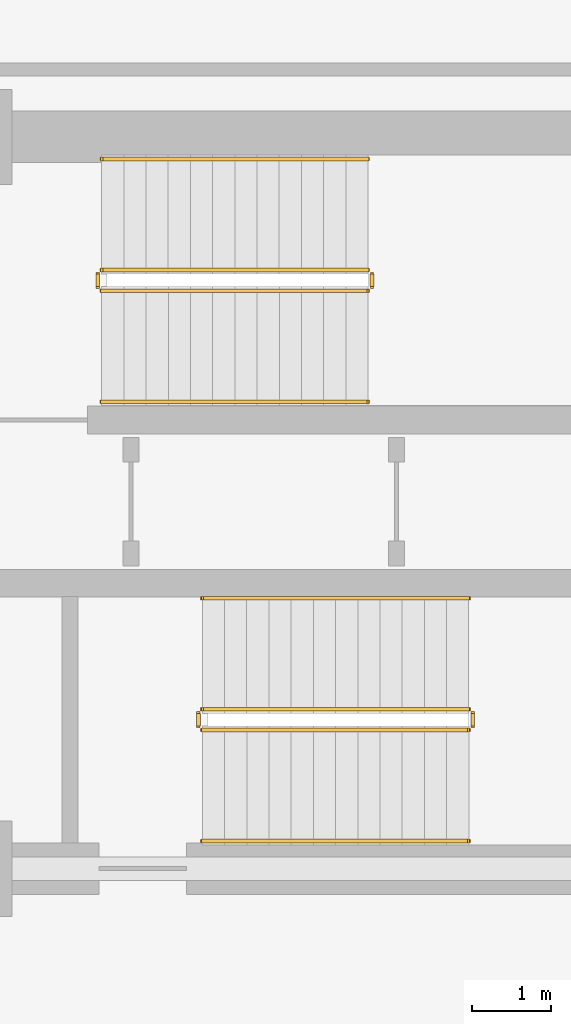
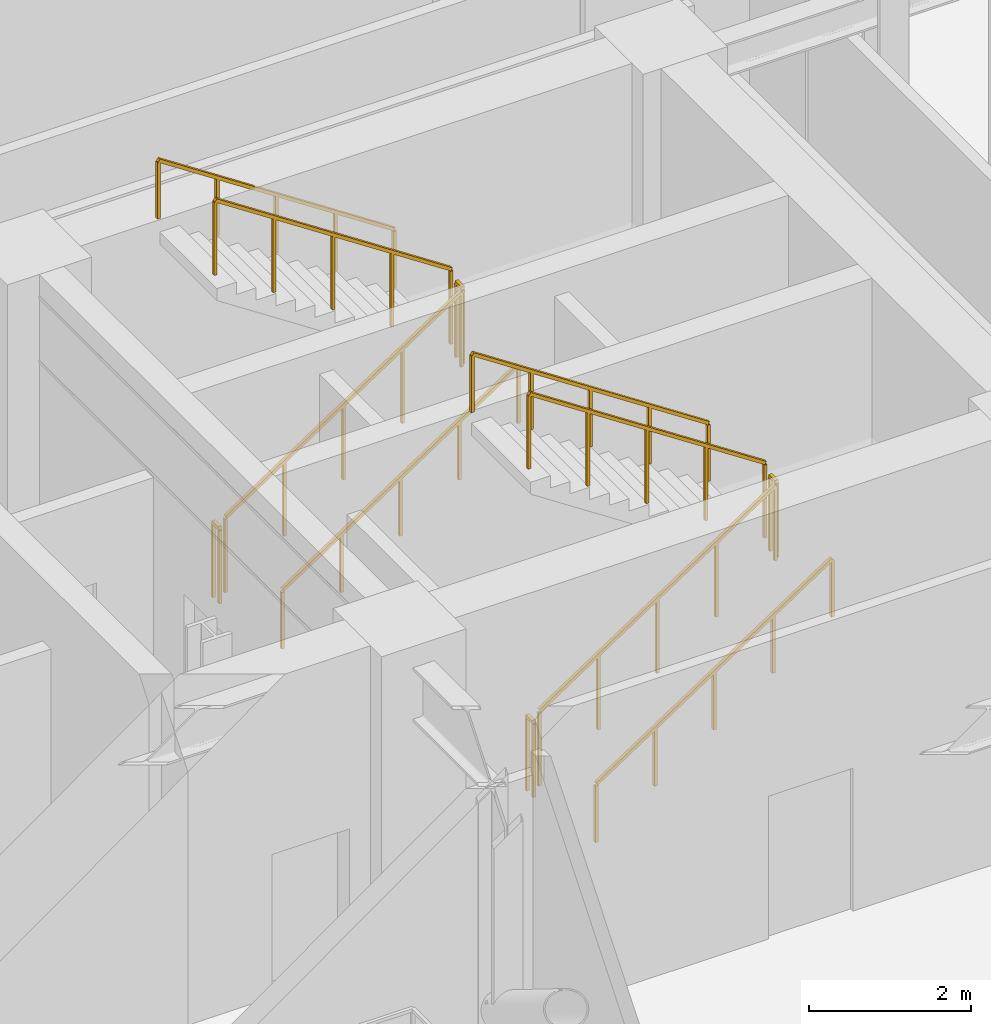
# One storey, part 13 of 13: 12 railings.
"""IFC4 building model written with IfcOpenShell, lengths in metres."""

from ifc_helpers import new_model, si_unit, direction, frame, origin, origin_2d, place, context, subcontext, project, spatial, rectangle, extrude, material, type_object, element, save


model = new_model("IFC4")

# Units and contexts
model_context = context("Model", 3, precision=1e-05, world=origin(), true_north=direction((0.0, 1.0)))
body_context = subcontext(model_context, "Body", "Model", "MODEL_VIEW")
ifc_project = project(units=[si_unit("LENGTHUNIT", "METRE"), si_unit("AREAUNIT", "SQUARE_METRE"), si_unit("VOLUMEUNIT", "CUBIC_METRE"), si_unit("PLANEANGLEUNIT", "RADIAN"), si_unit("MASSUNIT", "GRAM", prefix="KILO")], contexts=[model_context])

# Site, building, storey
site_placement = place(None, origin())
site = spatial("IfcSite", under=ifc_project, at=site_placement, CompositionType="ELEMENT")
building_placement = place(site_placement, origin())
building = spatial("IfcBuilding", under=site, at=building_placement, Name="Zarnavel Station Tower", CompositionType="ELEMENT")
storey_placement = place(building_placement, frame((0.0, 0.0, 132.89990234375)))
storey = spatial("IfcBuildingStorey", under=building, at=storey_placement, Name="L36", CompositionType="ELEMENT", Elevation=132.89990234375)

# Railings
ifc_material_1 = material(Name="Painted Steel S355J2 Balustrade", Category="steel")
railing_type_1 = type_object("IfcRailingType", Name="GR_INT_1150", PredefinedType="GUARDRAIL", material=ifc_material_1)
railing_1_placement = place(storey_placement, frame((38.080078125, 35.110107421875, 0.184814453125)))
element("IfcRailing", 1, at=railing_1_placement, inside=storey, type_object=railing_type_1, Name="L36 ST2 stair guard 1", PredefinedType="GUARDRAIL", context=body_context, shape_type="SweptSolid", body=[
    extrude(rectangle(XDim=0.048095703125, YDim=0.048095703125, at=origin_2d()), frame((0.001708984375, 0.0, 1.126953125), z_axis=(0.834858096282, 0.0, 0.550465220583), x_axis=(0.0, 1.0, 0.0)), (0.0, 0.0, 1.0), 4.0205078125),
    extrude(rectangle(XDim=0.0419921875, YDim=0.0419921875, at=origin_2d()), origin(), (0.0, 0.0, 1.0), 1.101806640625),
    extrude(rectangle(XDim=0.0419921875, YDim=0.0419921875, at=origin_2d()), frame((0.83984375, 0.0, 0.5537109375)), (0.0, 0.0, 1.0), 1.101806640625),
    extrude(rectangle(XDim=0.0419921875, YDim=0.0419921875, at=origin_2d()), frame((1.679931640625, 0.0, 1.107666015625)), (0.0, 0.0, 1.0), 1.101806640625),
    extrude(rectangle(XDim=0.0419921875, YDim=0.0419921875, at=origin_2d()), frame((2.52001953125, 0.0, 1.66162109375)), (0.0, 0.0, 1.0), 1.101806640625),
    extrude(rectangle(XDim=0.0419921875, YDim=0.0419921875, at=origin_2d()), frame((3.35986328125, 0.0, 2.21533203125)), (0.0, 0.0, 1.0), 1.101806640625),
])
railing_2_placement = place(storey_placement, frame((41.489990234375, 35.159912109375, 2.400146484375)))
element("IfcRailing", 2, at=railing_2_placement, inside=storey, type_object=railing_type_1, Name="L36 ST2 stair guard 2", PredefinedType="GUARDRAIL", context=body_context, shape_type="SweptSolid", body=[
    extrude(rectangle(XDim=0.048095703125, YDim=0.048095703125, at=origin_2d()), frame((0.0, 0.001953125, 1.1259765625), z_axis=(0.0, 1.0, 0.0), x_axis=(-1.0, 0.0, 0.0)), (0.0, 0.0, 1.0), 0.15625),
    extrude(rectangle(XDim=0.0419921875, YDim=0.0419921875, at=origin_2d()), origin(), (0.0, 0.0, 1.0), 1.101806640625),
    extrude(rectangle(XDim=0.0419921875, YDim=0.0419921875, at=origin_2d()), frame((0.0, 0.16015625, 0.0)), (0.0, 0.0, 1.0), 1.101806640625),
])
railing_3_placement = place(storey_placement, frame((41.43994140625, 35.3701171875, 2.584716796875)))
element("IfcRailing", 3, at=railing_3_placement, inside=storey, type_object=railing_type_1, Name="L36 ST2 stair guard 3", PredefinedType="GUARDRAIL", context=body_context, shape_type="SweptSolid", body=[
    extrude(rectangle(XDim=0.048095703125, YDim=0.048095703125, at=origin_2d()), frame((-0.001708984375, 0.0, 1.126953125), z_axis=(-0.834858096282, 0.0, 0.550465220583), x_axis=(0.0, -1.0, 0.0)), (0.0, 0.0, 1.0), 4.0205078125),
    extrude(rectangle(XDim=0.0419921875, YDim=0.0419921875, at=origin_2d()), origin(), (0.0, 0.0, 1.0), 1.101806640625),
    extrude(rectangle(XDim=0.0419921875, YDim=0.0419921875, at=origin_2d()), frame((-0.83984375, 0.0, 0.5537109375)), (0.0, 0.0, 1.0), 1.101806640625),
    extrude(rectangle(XDim=0.0419921875, YDim=0.0419921875, at=origin_2d()), frame((-1.679931640625, 0.0, 1.107666015625)), (0.0, 0.0, 1.0), 1.101806640625),
    extrude(rectangle(XDim=0.0419921875, YDim=0.0419921875, at=origin_2d()), frame((-2.52001953125, 0.0, 1.66162109375)), (0.0, 0.0, 1.0), 1.101806640625),
    extrude(rectangle(XDim=0.0419921875, YDim=0.0419921875, at=origin_2d()), frame((-3.35986328125, 0.0, 2.21533203125)), (0.0, 0.0, 1.0), 1.101806640625),
])
railing_4_placement = place(storey_placement, frame((38.030029296875, 35.159912109375, 0.0)))
element("IfcRailing", 4, at=railing_4_placement, inside=storey, type_object=railing_type_1, Name="L36 ST2 stair guard 4", PredefinedType="GUARDRAIL", context=body_context, shape_type="SweptSolid", body=[
    extrude(rectangle(XDim=0.048095703125, YDim=0.048095703125, at=origin_2d()), frame((0.0, 0.001953125, 1.1259765625), z_axis=(0.0, 1.0, 0.0), x_axis=(-1.0, 0.0, 0.0)), (0.0, 0.0, 1.0), 0.15625),
    extrude(rectangle(XDim=0.0419921875, YDim=0.0419921875, at=origin_2d()), origin(), (0.0, 0.0, 1.0), 1.101806640625),
    extrude(rectangle(XDim=0.0419921875, YDim=0.0419921875, at=origin_2d()), frame((0.0, 0.16015625, 0.0)), (0.0, 0.0, 1.0), 1.101806640625),
])
railing_5_placement = place(storey_placement, frame((39.35009765625, 29.570068359375, 0.184814453125)))
element("IfcRailing", 5, at=railing_5_placement, inside=storey, type_object=railing_type_1, Name="L36 ST3 stair guard 1", PredefinedType="GUARDRAIL", context=body_context, shape_type="SweptSolid", body=[
    extrude(rectangle(XDim=0.048095703125, YDim=0.048095703125, at=origin_2d()), frame((0.001708984375, 0.0, 1.126953125), z_axis=(0.834858096282, 0.0, 0.550465220583), x_axis=(0.0, 1.0, 0.0)), (0.0, 0.0, 1.0), 4.0205078125),
    extrude(rectangle(XDim=0.0419921875, YDim=0.0419921875, at=origin_2d()), origin(), (0.0, 0.0, 1.0), 1.101806640625),
    extrude(rectangle(XDim=0.0419921875, YDim=0.0419921875, at=origin_2d()), frame((0.83984375, 0.0, 0.5537109375)), (0.0, 0.0, 1.0), 1.101806640625),
    extrude(rectangle(XDim=0.0419921875, YDim=0.0419921875, at=origin_2d()), frame((1.679931640625, 0.0, 1.107666015625)), (0.0, 0.0, 1.0), 1.101806640625),
    extrude(rectangle(XDim=0.0419921875, YDim=0.0419921875, at=origin_2d()), frame((2.52001953125, 0.0, 1.66162109375)), (0.0, 0.0, 1.0), 1.101806640625),
    extrude(rectangle(XDim=0.0419921875, YDim=0.0419921875, at=origin_2d()), frame((3.35986328125, 0.0, 2.21533203125)), (0.0, 0.0, 1.0), 1.101806640625),
])
railing_6_placement = place(storey_placement, frame((42.760009765625, 29.6201171875, 2.400146484375)))
element("IfcRailing", 6, at=railing_6_placement, inside=storey, type_object=railing_type_1, Name="L36 ST3 stair guard 2", PredefinedType="GUARDRAIL", context=body_context, shape_type="SweptSolid", body=[
    extrude(rectangle(XDim=0.048095703125, YDim=0.048095703125, at=origin_2d()), frame((0.0, 0.001953125, 1.1259765625), z_axis=(0.0, 1.0, 0.0), x_axis=(-1.0, 0.0, 0.0)), (0.0, 0.0, 1.0), 0.156005859375),
    extrude(rectangle(XDim=0.0419921875, YDim=0.0419921875, at=origin_2d()), origin(), (0.0, 0.0, 1.0), 1.101806640625),
    extrude(rectangle(XDim=0.0419921875, YDim=0.0419921875, at=origin_2d()), frame((0.0, 0.159912109375, 0.0)), (0.0, 0.0, 1.0), 1.101806640625),
])
railing_7_placement = place(storey_placement, frame((42.7099609375, 29.830078125, 2.584716796875)))
element("IfcRailing", 7, at=railing_7_placement, inside=storey, type_object=railing_type_1, Name="L36 ST3 stair guard 3", PredefinedType="GUARDRAIL", context=body_context, shape_type="SweptSolid", body=[
    extrude(rectangle(XDim=0.048095703125, YDim=0.048095703125, at=origin_2d()), frame((-0.001708984375, 0.0, 1.126953125), z_axis=(-0.834858096282, 0.0, 0.550465220583), x_axis=(0.0, -1.0, 0.0)), (0.0, 0.0, 1.0), 4.0205078125),
    extrude(rectangle(XDim=0.0419921875, YDim=0.0419921875, at=origin_2d()), origin(), (0.0, 0.0, 1.0), 1.101806640625),
    extrude(rectangle(XDim=0.0419921875, YDim=0.0419921875, at=origin_2d()), frame((-0.83984375, 0.0, 0.5537109375)), (0.0, 0.0, 1.0), 1.101806640625),
    extrude(rectangle(XDim=0.0419921875, YDim=0.0419921875, at=origin_2d()), frame((-1.679931640625, 0.0, 1.107666015625)), (0.0, 0.0, 1.0), 1.101806640625),
    extrude(rectangle(XDim=0.0419921875, YDim=0.0419921875, at=origin_2d()), frame((-2.52001953125, 0.0, 1.66162109375)), (0.0, 0.0, 1.0), 1.101806640625),
    extrude(rectangle(XDim=0.0419921875, YDim=0.0419921875, at=origin_2d()), frame((-3.35986328125, 0.0, 2.21533203125)), (0.0, 0.0, 1.0), 1.101806640625),
])
railing_8_placement = place(storey_placement, frame((39.300048828125, 29.6201171875, 0.0)))
element("IfcRailing", 8, at=railing_8_placement, inside=storey, type_object=railing_type_1, Name="L36 ST3 stair guard 4", PredefinedType="GUARDRAIL", context=body_context, shape_type="SweptSolid", body=[
    extrude(rectangle(XDim=0.048095703125, YDim=0.048095703125, at=origin_2d()), frame((0.0, 0.001953125, 1.1259765625), z_axis=(0.0, 1.0, 0.0), x_axis=(-1.0, 0.0, 0.0)), (0.0, 0.0, 1.0), 0.156005859375),
    extrude(rectangle(XDim=0.0419921875, YDim=0.0419921875, at=origin_2d()), origin(), (0.0, 0.0, 1.0), 1.101806640625),
    extrude(rectangle(XDim=0.0419921875, YDim=0.0419921875, at=origin_2d()), frame((0.0, 0.159912109375, 0.0)), (0.0, 0.0, 1.0), 1.101806640625),
])
ifc_material_2 = material(Name="Brushed Stainless Steel S355J2 Handrail", Category="steel")
railing_type_2 = type_object("IfcRailingType", Name="HR_STAIR_900", PredefinedType="HANDRAIL", material=ifc_material_2)
railing_9_placement = place(storey_placement, frame((38.080078125, 33.7099609375, 0.184814453125)))
element("IfcRailing", 9, at=railing_9_placement, inside=storey, type_object=railing_type_2, Name="L36 ST2 stair handrail 1", PredefinedType="HANDRAIL", context=body_context, shape_type="SweptSolid", body=[
    extrude(rectangle(XDim=0.048095703125, YDim=0.048095703125, at=origin_2d()), frame((0.001708984375, 0.0, 0.876953125), z_axis=(0.834858096282, 0.0, 0.550465220583), x_axis=(0.0, 1.0, 0.0)), (0.0, 0.0, 1.0), 4.0205078125),
    extrude(rectangle(XDim=0.0419921875, YDim=0.0419921875, at=origin_2d()), origin(), (0.0, 0.0, 1.0), 0.851806640625),
    extrude(rectangle(XDim=0.0419921875, YDim=0.0419921875, at=origin_2d()), frame((0.83984375, 0.0, 0.5537109375)), (0.0, 0.0, 1.0), 0.851806640625),
    extrude(rectangle(XDim=0.0419921875, YDim=0.0419921875, at=origin_2d()), frame((1.679931640625, 0.0, 1.107666015625)), (0.0, 0.0, 1.0), 0.851806640625),
    extrude(rectangle(XDim=0.0419921875, YDim=0.0419921875, at=origin_2d()), frame((2.52001953125, 0.0, 1.66162109375)), (0.0, 0.0, 1.0), 0.851806640625),
    extrude(rectangle(XDim=0.0419921875, YDim=0.0419921875, at=origin_2d()), frame((3.35986328125, 0.0, 2.21533203125)), (0.0, 0.0, 1.0), 0.851806640625),
])
railing_10_placement = place(storey_placement, frame((41.43994140625, 36.77001953125, 2.584716796875)))
element("IfcRailing", 10, at=railing_10_placement, inside=storey, type_object=railing_type_2, Name="L36 ST2 stair handrail 2", PredefinedType="HANDRAIL", context=body_context, shape_type="SweptSolid", body=[
    extrude(rectangle(XDim=0.048095703125, YDim=0.048095703125, at=origin_2d()), frame((-0.001708984375, 0.0, 0.876953125), z_axis=(-0.834858096282, 0.0, 0.550465220583), x_axis=(0.0, -1.0, 0.0)), (0.0, 0.0, 1.0), 4.0205078125),
    extrude(rectangle(XDim=0.0419921875, YDim=0.0419921875, at=origin_2d()), origin(), (0.0, 0.0, 1.0), 0.851806640625),
    extrude(rectangle(XDim=0.0419921875, YDim=0.0419921875, at=origin_2d()), frame((-0.83984375, 0.0, 0.5537109375)), (0.0, 0.0, 1.0), 0.851806640625),
    extrude(rectangle(XDim=0.0419921875, YDim=0.0419921875, at=origin_2d()), frame((-1.679931640625, 0.0, 1.107666015625)), (0.0, 0.0, 1.0), 0.851806640625),
    extrude(rectangle(XDim=0.0419921875, YDim=0.0419921875, at=origin_2d()), frame((-2.52001953125, 0.0, 1.66162109375)), (0.0, 0.0, 1.0), 0.851806640625),
    extrude(rectangle(XDim=0.0419921875, YDim=0.0419921875, at=origin_2d()), frame((-3.35986328125, 0.0, 2.21533203125)), (0.0, 0.0, 1.0), 0.851806640625),
])
railing_11_placement = place(storey_placement, frame((39.35009765625, 28.169921875, 0.184814453125)))
element("IfcRailing", 11, at=railing_11_placement, inside=storey, type_object=railing_type_2, Name="L36 ST3 stair handrail 1", PredefinedType="HANDRAIL", context=body_context, shape_type="SweptSolid", body=[
    extrude(rectangle(XDim=0.048095703125, YDim=0.048095703125, at=origin_2d()), frame((0.001708984375, 0.0, 0.876953125), z_axis=(0.834858096282, 0.0, 0.550465220583), x_axis=(0.0, 1.0, 0.0)), (0.0, 0.0, 1.0), 4.0205078125),
    extrude(rectangle(XDim=0.0419921875, YDim=0.0419921875, at=origin_2d()), origin(), (0.0, 0.0, 1.0), 0.851806640625),
    extrude(rectangle(XDim=0.0419921875, YDim=0.0419921875, at=origin_2d()), frame((0.83984375, 0.0, 0.5537109375)), (0.0, 0.0, 1.0), 0.851806640625),
    extrude(rectangle(XDim=0.0419921875, YDim=0.0419921875, at=origin_2d()), frame((1.679931640625, 0.0, 1.107666015625)), (0.0, 0.0, 1.0), 0.851806640625),
    extrude(rectangle(XDim=0.0419921875, YDim=0.0419921875, at=origin_2d()), frame((2.52001953125, 0.0, 1.66162109375)), (0.0, 0.0, 1.0), 0.851806640625),
    extrude(rectangle(XDim=0.0419921875, YDim=0.0419921875, at=origin_2d()), frame((3.35986328125, 0.0, 2.21533203125)), (0.0, 0.0, 1.0), 0.851806640625),
])
railing_12_placement = place(storey_placement, frame((42.7099609375, 31.22998046875, 2.584716796875)))
element("IfcRailing", 12, at=railing_12_placement, inside=storey, type_object=railing_type_2, Name="L36 ST3 stair handrail 2", PredefinedType="HANDRAIL", context=body_context, shape_type="SweptSolid", body=[
    extrude(rectangle(XDim=0.048095703125, YDim=0.048095703125, at=origin_2d()), frame((-0.001708984375, 0.0, 0.876953125), z_axis=(-0.834858096282, 0.0, 0.550465220583), x_axis=(0.0, -1.0, 0.0)), (0.0, 0.0, 1.0), 4.0205078125),
    extrude(rectangle(XDim=0.0419921875, YDim=0.0419921875, at=origin_2d()), origin(), (0.0, 0.0, 1.0), 0.851806640625),
    extrude(rectangle(XDim=0.0419921875, YDim=0.0419921875, at=origin_2d()), frame((-0.83984375, 0.0, 0.5537109375)), (0.0, 0.0, 1.0), 0.851806640625),
    extrude(rectangle(XDim=0.0419921875, YDim=0.0419921875, at=origin_2d()), frame((-1.679931640625, 0.0, 1.107666015625)), (0.0, 0.0, 1.0), 0.851806640625),
    extrude(rectangle(XDim=0.0419921875, YDim=0.0419921875, at=origin_2d()), frame((-2.52001953125, 0.0, 1.66162109375)), (0.0, 0.0, 1.0), 0.851806640625),
    extrude(rectangle(XDim=0.0419921875, YDim=0.0419921875, at=origin_2d()), frame((-3.35986328125, 0.0, 2.21533203125)), (0.0, 0.0, 1.0), 0.851806640625),
])

save(model, "model.ifc")
